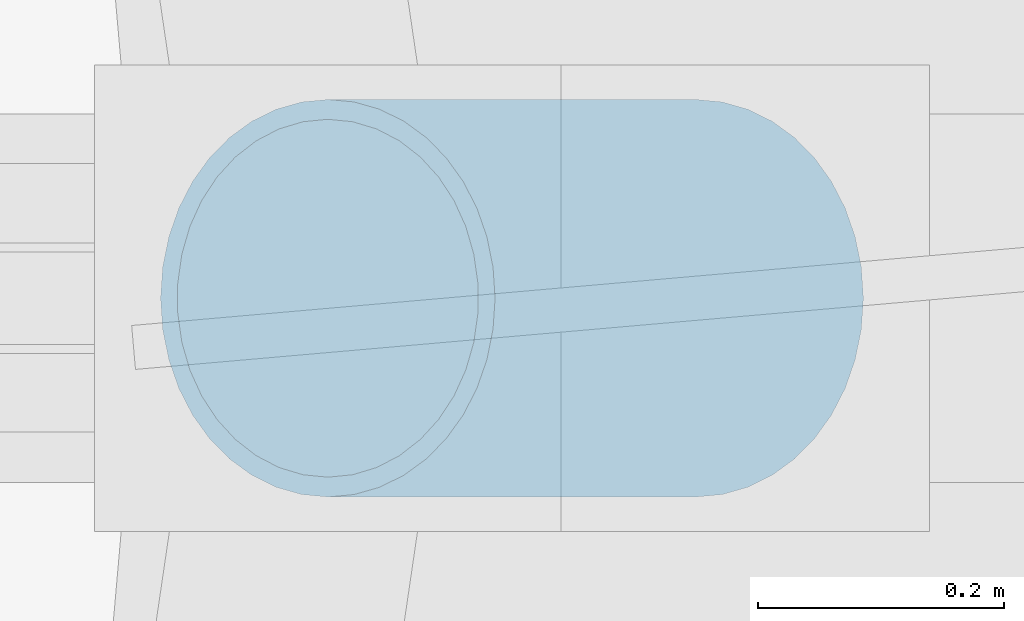
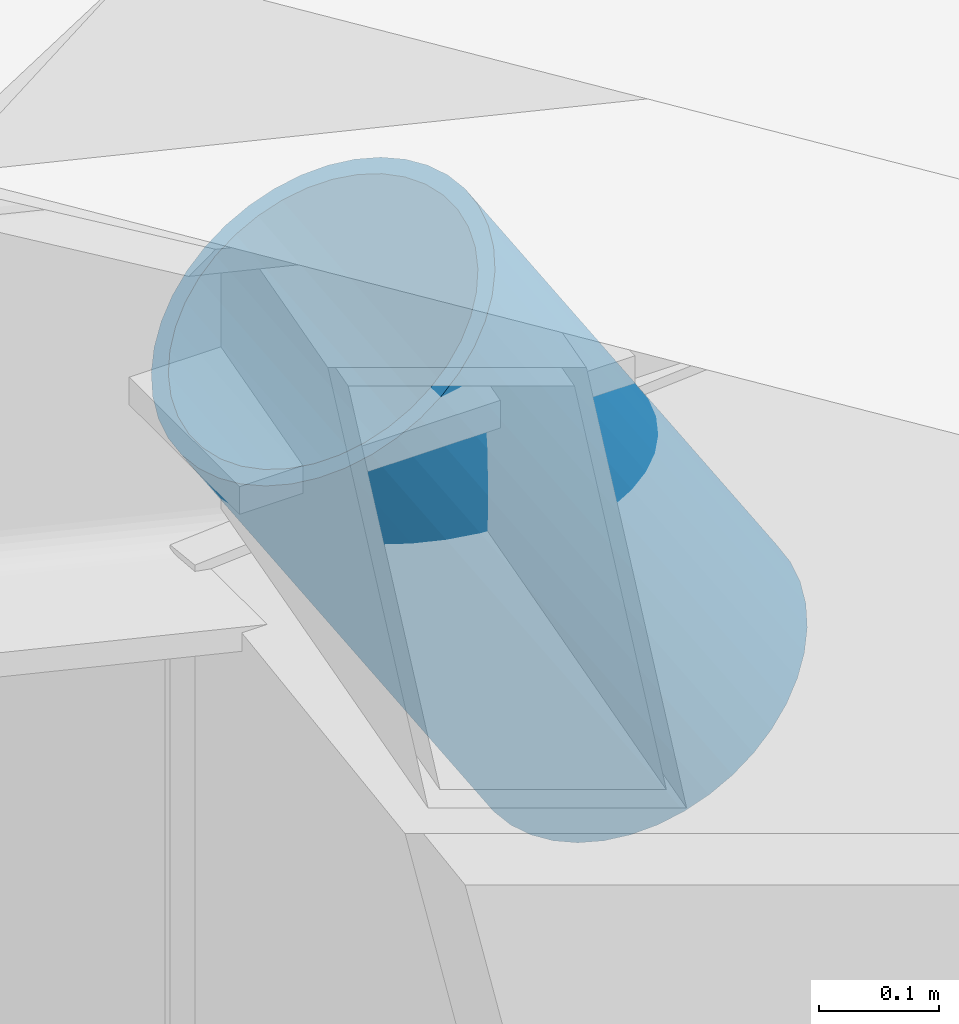
# One storey, part 135 of 173: 1 member.
"""IFC4 building model written with IfcOpenShell, lengths in metres."""

from ifc_helpers import new_model, si_unit, direction, frame, origin, origin_2d, place, context, subcontext, project, spatial, hollow_circle, extrude, material, material_profile, profile_set, type_object, element, save


model = new_model("IFC4")

# Units and contexts
model_context = context("Model", 3, precision=1e-05, world=origin(), true_north=direction((0.0, 1.0)))
body_context = subcontext(model_context, "Body", "Model", "MODEL_VIEW")
ifc_project = project(units=[si_unit("LENGTHUNIT", "METRE"), si_unit("AREAUNIT", "SQUARE_METRE"), si_unit("VOLUMEUNIT", "CUBIC_METRE"), si_unit("PLANEANGLEUNIT", "RADIAN"), si_unit("MASSUNIT", "GRAM", prefix="KILO")], contexts=[model_context])

# Site, building, storey
site_placement = place(None, origin())
site = spatial("IfcSite", under=ifc_project, at=site_placement, CompositionType="ELEMENT")
building_placement = place(site_placement, origin())
building = spatial("IfcBuilding", under=site, at=building_placement, Name="Glasvene Arena", CompositionType="ELEMENT")
storey_placement = place(building_placement, frame((0.0, 0.0, 28.800048828125)))
storey = spatial("IfcBuildingStorey", under=building, at=storey_placement, Name="RF", CompositionType="ELEMENT", Elevation=28.800048828125)

# Member
ifc_material = material(Name="Steel S355J2", Category="steel")
ifc_material_profile = material_profile(ifc_material, hollow_circle(Radius=0.161865234375, WallThickness=0.01611328125, at=origin_2d()), Name="CHS 323.9x16.0")
ifc_profile_set = profile_set([ifc_material_profile], Name="Steel S355J2")
member_type = type_object("IfcMemberType", Name="MB-POST-CHS324", PredefinedType="BRACE", material=ifc_profile_set)
member_placement = place(storey_placement, frame((142.0, 73.0, -0.300048828125), z_axis=(-0.540113294281, 0.0, 0.841592317777), x_axis=(0.0, -1.0, 0.0)))
element("IfcMember", 1, at=member_placement, inside=storey, type_object=member_type, Name="Petal ring 1 outer support post 01", PredefinedType="BRACE", context=body_context, shape_type="SweptSolid", body=[
    extrude(hollow_circle(Radius=0.161865234375, WallThickness=0.01611328125, at=origin_2d()), origin(), (0.0, 0.0, 1.0), 0.555419921875),
])

save(model, "model.ifc")
